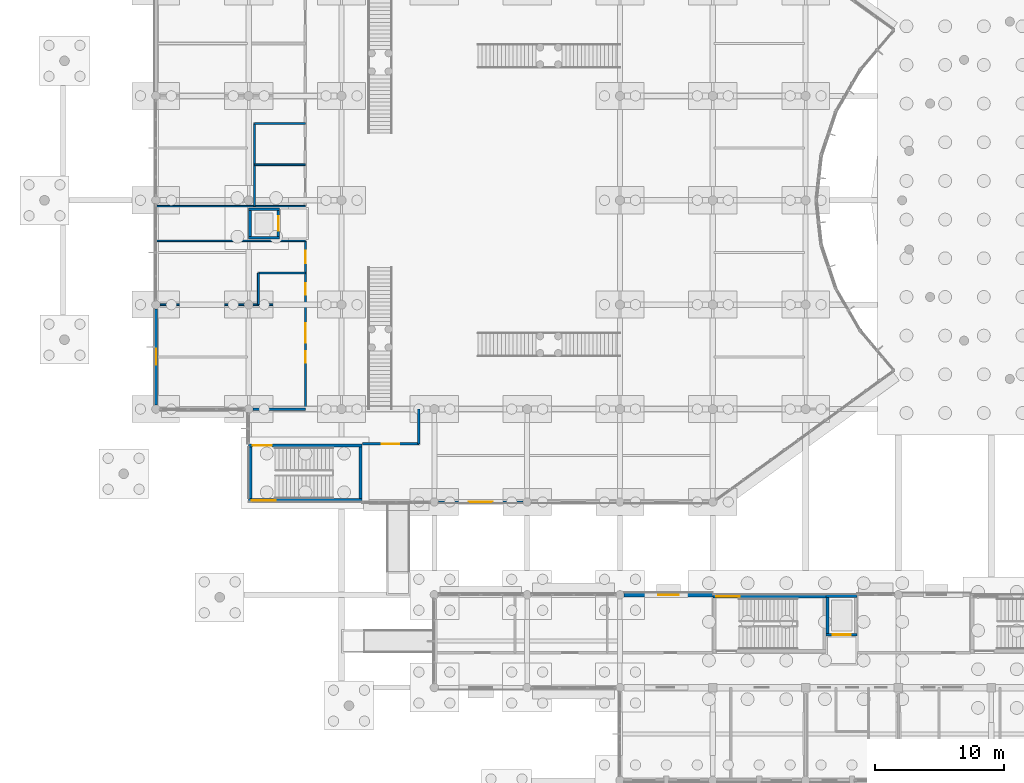
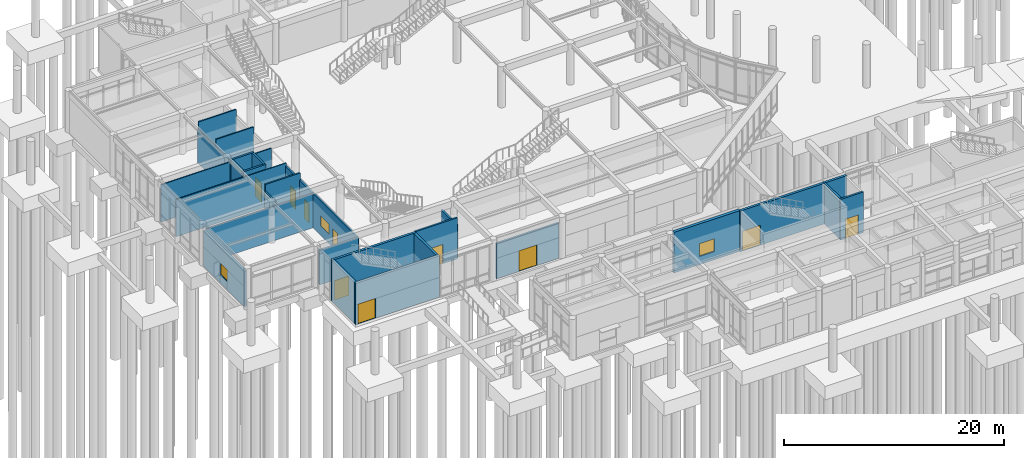
# One storey, part 53 of 103: 27 walls, 10 doors, 3 windows, 13 openings.
"""IFC4 building model written with IfcOpenShell, lengths in metres."""

from ifc_helpers import new_model, si_unit, direction, frame, frame_2d, origin, place, context, subcontext, project, spatial, rectangle, extrude, material, layer, layer_set, type_object, element, fill, save


model = new_model("IFC4")

# Units and contexts
model_context = context("Model", 3, precision=1e-05, world=origin(), true_north=direction((0.0, 1.0)))
body_context = subcontext(model_context, "Body", "Model", "MODEL_VIEW")
ifc_project = project(units=[si_unit("LENGTHUNIT", "METRE"), si_unit("AREAUNIT", "SQUARE_METRE"), si_unit("VOLUMEUNIT", "CUBIC_METRE"), si_unit("PLANEANGLEUNIT", "RADIAN"), si_unit("MASSUNIT", "GRAM", prefix="KILO")], contexts=[model_context])

# Site, building, storey
site_placement = place(None, origin())
site = spatial("IfcSite", under=ifc_project, at=site_placement, CompositionType="ELEMENT")
building_placement = place(site_placement, origin())
building = spatial("IfcBuilding", under=site, at=building_placement, Name="Namkhue Oval Health Centre", CompositionType="ELEMENT")
storey_placement = place(building_placement, origin())
storey = spatial("IfcBuildingStorey", under=building, at=storey_placement, Name="L00", CompositionType="ELEMENT", Elevation=0.0)

# Wall, opening, door
ifc_material_1 = material(Name="Autoclaved aerated concrete blockwork M7.5", Category="masonry")
ifc_layer_1 = layer(ifc_material_1, 0.179931640625)
ifc_layer_set_1 = layer_set([ifc_layer_1], Name="Autoclaved aerated concrete blockwork M7.5")
wall_type_1 = type_object("IfcWallType", Name="EXTERIOR ENVELOPE WALL 180", PredefinedType="STANDARD", material=ifc_layer_set_1)
wall_1_placement = place(storey_placement, frame((36.320068359375, 36.0, 0.0), z_axis=(0.0, 0.0, 1.0), x_axis=(1.0, 0.0, 0.0)))
wall_1 = element("IfcWall", 1, at=wall_1_placement, inside=storey, type_object=wall_type_1, Name="Volume V1 L00 Exterior Envelope Wall 1", PredefinedType="STANDARD", context=body_context, shape_type="SweptSolid", body=[
    extrude(rectangle(XDim=6.559814453125, YDim=0.179931640625, at=frame_2d((3.27978515625, 0.0))), origin(), (0.0, 0.0, 1.0), 3.9150390625),
])
opening_1_placement = place(wall_1_placement, frame((2.330078125, 0.0, 0.0)))
opening_1 = element("IfcOpeningElement", 2, at=opening_1_placement, cuts=wall_1, Name="Opening ED-01", PredefinedType="OPENING", context=body_context, shape_type="SweptSolid", body=[
    extrude(rectangle(XDim=1.89990234375, YDim=2.280029296875, at=frame_2d((0.949951171875, 1.14013671875))), frame((0.0, 0.099853515625, 0.0), z_axis=(0.0, -1.0, 0.0), x_axis=(1.0, 0.0, 0.0)), (0.0, 0.0, 1.0), 0.199951171875),
])
ifc_material_2 = material(Name="Anodised aluminium glazed entrance door", Category="aluminium")
door_type_1 = type_object("IfcDoorType", Name="ENTRANCE DOOR 1900X2280", OperationType="DOUBLE_DOOR_SINGLE_SWING", PredefinedType="DOOR", material=ifc_material_2)
door_1_placement = place(opening_1_placement, frame((1.89990234375, 0.0, 0.0), z_axis=(0.0, 0.0, 1.0), x_axis=(-1.0, 0.0, 0.0)))
door_1 = element("IfcDoor", 3, at=door_1_placement, inside=storey, type_object=door_type_1, Name="Volume V1 Main Pedestrian Entrance Exit Door 1", OperationType="DOUBLE_DOOR_SINGLE_SWING", OverallHeight=2.280029296875, OverallWidth=1.89990234375, PredefinedType="DOOR", context=body_context, shape_type="SweptSolid", body=[
    extrude(rectangle(XDim=1.89990234375, YDim=2.280029296875, at=frame_2d((0.949951171875, 1.14013671875))), frame((0.0, 0.02490234375, 0.0), z_axis=(0.0, -1.0, 0.0), x_axis=(1.0, 0.0, 0.0)), (0.0, 0.0, 1.0), 0.050048828125),
])
fill(opening_1, door_1)

# Wall, opening, window
ifc_layer_2 = layer(ifc_material_1, 0.239990234375)
ifc_layer_set_2 = layer_set([ifc_layer_2], Name="Autoclaved aerated concrete blockwork M7.5")
wall_type_2 = type_object("IfcWallType", Name="EXTERIOR ENVELOPE WALL 240", PredefinedType="STANDARD", material=ifc_layer_set_2)
wall_2_placement = place(storey_placement, frame((14.39990234375, 50.97998046875, 0.0), z_axis=(0.0, 0.0, 1.0), x_axis=(0.0, -1.0, 0.0)))
wall_2 = element("IfcWall", 4, at=wall_2_placement, inside=storey, type_object=wall_type_2, Name="Volume V1 L00 Exterior Envelope Wall 7", PredefinedType="STANDARD", context=body_context, shape_type="SweptSolid", body=[
    extrude(rectangle(XDim=7.4599609375, YDim=0.239990234375, at=frame_2d((3.72998046875, 0.0))), origin(), (0.0, 0.0, 1.0), 3.93994140625),
])
opening_2_placement = place(wall_2_placement, frame((3.10498046875, 0.0, 0.89990234375)))
opening_2 = element("IfcOpeningElement", 5, at=opening_2_placement, cuts=wall_2, Name="Opening WN-04", PredefinedType="OPENING", context=body_context, shape_type="SweptSolid", body=[
    extrude(rectangle(XDim=1.25, YDim=1.300048828125, at=frame_2d((0.625, 0.64990234375))), frame((0.0, 0.1298828125, 0.0), z_axis=(0.0, -1.0, 0.0), x_axis=(1.0, 0.0, 0.0)), (0.0, 0.0, 1.0), 0.260009765625),
])
ifc_material_3 = material(Name="Thermally broken low-E laminated double glazing", Category="glass")
window_type_1 = type_object("IfcWindowType", Name="EXTERIOR WINDOW 1250X1300", PartitioningType="SINGLE_PANEL", PredefinedType="WINDOW", material=ifc_material_3)
window_1_placement = place(opening_2_placement, origin())
window_1 = element("IfcWindow", 6, at=window_1_placement, inside=storey, type_object=window_type_1, Name="Volume V1 L00 Exterior Window 4", OverallHeight=1.300048828125, OverallWidth=1.25, PartitioningType="SINGLE_PANEL", PredefinedType="WINDOW", context=body_context, shape_type="SweptSolid", body=[
    extrude(rectangle(XDim=1.25, YDim=1.300048828125, at=frame_2d((0.625, 0.64990234375))), frame((0.0, 0.030029296875, 0.0), z_axis=(0.0, -1.0, 0.0), x_axis=(1.0, 0.0, 0.0)), (0.0, 0.0, 1.0), 0.06005859375),
])
fill(opening_2, window_1)

ifc_layer_3 = layer(ifc_material_1, 0.31005859375)
ifc_layer_set_3 = layer_set([ifc_layer_3], Name="Autoclaved aerated concrete blockwork M7.5")
wall_type_3 = type_object("IfcWallType", Name="EXTERIOR ENVELOPE WALL 310", PredefinedType="STANDARD", material=ifc_layer_set_3)
wall_3_placement = place(storey_placement, frame((57.597900390625, 28.800048828125, 0.0), z_axis=(0.0, 0.0, 1.0), x_axis=(-1.0, 0.0, 0.0)))
wall_3 = element("IfcWall", 7, at=wall_3_placement, inside=storey, type_object=wall_type_3, Name="Volume V4 L00 Exterior Envelope Wall 94", PredefinedType="STANDARD", context=body_context, shape_type="SweptSolid", body=[
    extrude(rectangle(XDim=6.8779296875, YDim=0.31005859375, at=frame_2d((3.43896484375, 0.0))), origin(), (0.0, 0.0, 1.0), 4.510009765625),
])
opening_3_placement = place(wall_3_placement, frame((2.638916015625, 0.0, 0.89990234375)))
opening_3 = element("IfcOpeningElement", 8, at=opening_3_placement, cuts=wall_3, Name="Opening WN-16", PredefinedType="OPENING", context=body_context, shape_type="SweptSolid", body=[
    extrude(rectangle(XDim=1.60009765625, YDim=1.419921875, at=frame_2d((0.800048828125, 0.7099609375))), frame((0.0, 0.1650390625, 0.0), z_axis=(0.0, -1.0, 0.0), x_axis=(1.0, 0.0, 0.0)), (0.0, 0.0, 1.0), 0.330078125),
])
window_type_2 = type_object("IfcWindowType", Name="EXTERIOR WINDOW 1600X1420", PartitioningType="SINGLE_PANEL", PredefinedType="WINDOW", material=ifc_material_3)
window_2_placement = place(opening_3_placement, origin())
window_2 = element("IfcWindow", 9, at=window_2_placement, inside=storey, type_object=window_type_2, Name="Volume V4 L00 Exterior Window 61", OverallHeight=1.419921875, OverallWidth=1.60009765625, PartitioningType="SINGLE_PANEL", PredefinedType="WINDOW", context=body_context, shape_type="SweptSolid", body=[
    extrude(rectangle(XDim=1.60009765625, YDim=1.419921875, at=frame_2d((0.800048828125, 0.7099609375))), frame((0.0, 0.030029296875, 0.0), z_axis=(0.0, -1.0, 0.0), x_axis=(1.0, 0.0, 0.0)), (0.0, 0.0, 1.0), 0.06005859375),
])
fill(opening_3, window_2)

# Wall, openings, doors, window
ifc_material_4 = material(Name="Gypsum plasterboard acoustic partition", Category="gypsum")
ifc_layer_4 = layer(ifc_material_4, 0.169921875)
ifc_layer_set_4 = layer_set([ifc_layer_4], Name="Gypsum plasterboard acoustic partition")
wall_type_4 = type_object("IfcWallType", Name="FIRE PARTITION WALL 170", PredefinedType="PARTITIONING", material=ifc_layer_set_4)
wall_4_placement = place(storey_placement, frame((26.0, 43.199951171875, 0.0), z_axis=(0.0, 0.0, 1.0), x_axis=(0.0, 1.0, 0.0)))
wall_4 = element("IfcWall", 10, at=wall_4_placement, inside=storey, type_object=wall_type_4, Name="Volume V1 L00 Clinical Partition Wall 1", PredefinedType="PARTITIONING", context=body_context, shape_type="SweptSolid", body=[
    extrude(rectangle(XDim=13.050048828125, YDim=0.169921875, at=frame_2d((6.52490234375, 0.0))), origin(), (0.0, 0.0, 1.0), 3.81494140625),
])
opening_4_placement = place(wall_4_placement, frame((3.60009765625, 0.0, 0.0)))
opening_4 = element("IfcOpeningElement", 11, at=opening_4_placement, cuts=wall_4, Name="Opening CD-01", PredefinedType="OPENING", context=body_context, shape_type="SweptSolid", body=[
    extrude(rectangle(XDim=0.89990234375, YDim=2.080078125, at=frame_2d((0.449951171875, 1.0400390625))), frame((0.0, 0.094970703125, 0.0), z_axis=(0.0, -1.0, 0.0), x_axis=(1.0, 0.0, 0.0)), (0.0, 0.0, 1.0), 0.18994140625),
])
opening_5_placement = place(wall_4_placement, frame((5.14990234375, 0.0, 1.050048828125)))
opening_5 = element("IfcOpeningElement", 12, at=opening_5_placement, cuts=wall_4, Name="Opening IWN-02", PredefinedType="OPENING", context=body_context, shape_type="SweptSolid", body=[
    extrude(rectangle(XDim=1.5, YDim=1.10009765625, at=frame_2d((0.75, 0.550048828125))), frame((0.0, 0.094970703125, 0.0), z_axis=(0.0, -1.0, 0.0), x_axis=(1.0, 0.0, 0.0)), (0.0, 0.0, 1.0), 0.18994140625),
])
opening_6_placement = place(wall_4_placement, frame((8.8701171875, 0.0, 0.0)))
opening_6 = element("IfcOpeningElement", 13, at=opening_6_placement, cuts=wall_4, Name="Opening CD-07", PredefinedType="OPENING", context=body_context, shape_type="SweptSolid", body=[
    extrude(rectangle(XDim=0.89990234375, YDim=2.1298828125, at=frame_2d((0.449951171875, 1.06494140625))), frame((0.0, 0.094970703125, 0.0), z_axis=(0.0, -1.0, 0.0), x_axis=(1.0, 0.0, 0.0)), (0.0, 0.0, 1.0), 0.18994140625),
])
opening_7_placement = place(wall_4_placement, frame((11.31005859375, 0.0, 0.0)))
opening_7 = element("IfcOpeningElement", 14, at=opening_7_placement, cuts=wall_4, Name="Opening CD-03", PredefinedType="OPENING", context=body_context, shape_type="SweptSolid", body=[
    extrude(rectangle(XDim=0.97998046875, YDim=2.080078125, at=frame_2d((0.489990234375, 1.0400390625))), frame((0.0, 0.094970703125, 0.0), z_axis=(0.0, -1.0, 0.0), x_axis=(1.0, 0.0, 0.0)), (0.0, 0.0, 1.0), 0.18994140625),
])
ifc_material_5 = material(Name="High-pressure laminate timber clinical door", Category="wood")
door_type_2 = type_object("IfcDoorType", Name="CLINICAL DOOR 900X2080", OperationType="NOTDEFINED", PredefinedType="DOOR", material=ifc_material_5)
door_2_placement = place(opening_4_placement, origin())
door_2 = element("IfcDoor", 15, at=door_2_placement, inside=storey, type_object=door_type_2, Name="Volume V1 L00 Triage Registration Clinic Door 1", OperationType="SINGLE_SWING_LEFT", OverallHeight=2.080078125, OverallWidth=0.89990234375, PredefinedType="DOOR", context=body_context, shape_type="SweptSolid", body=[
    extrude(rectangle(XDim=0.89990234375, YDim=2.080078125, at=frame_2d((0.449951171875, 1.0400390625))), frame((0.0, 0.02490234375, 0.0), z_axis=(0.0, -1.0, 0.0), x_axis=(1.0, 0.0, 0.0)), (0.0, 0.0, 1.0), 0.050048828125),
])
fill(opening_4, door_2)
door_type_3 = type_object("IfcDoorType", Name="CLINICAL DOOR 900X2130", OperationType="NOTDEFINED", PredefinedType="DOOR", material=ifc_material_5)
door_3_placement = place(opening_6_placement, origin())
door_3 = element("IfcDoor", 16, at=door_3_placement, inside=storey, type_object=door_type_3, Name="Volume V1 L00 Accessible WC Door 2", OperationType="SINGLE_SWING_RIGHT", OverallHeight=2.1298828125, OverallWidth=0.89990234375, PredefinedType="DOOR", context=body_context, shape_type="SweptSolid", body=[
    extrude(rectangle(XDim=0.89990234375, YDim=2.1298828125, at=frame_2d((0.449951171875, 1.06494140625))), frame((0.0, 0.02490234375, 0.0), z_axis=(0.0, -1.0, 0.0), x_axis=(1.0, 0.0, 0.0)), (0.0, 0.0, 1.0), 0.050048828125),
])
fill(opening_6, door_3)
door_type_4 = type_object("IfcDoorType", Name="CLINICAL DOOR 980X2080", OperationType="NOTDEFINED", PredefinedType="DOOR", material=ifc_material_5)
door_4_placement = place(opening_7_placement, origin())
door_4 = element("IfcDoor", 17, at=door_4_placement, inside=storey, type_object=door_type_4, Name="Volume V1 L00 Baby Care and Lactation Room Door 3", OperationType="SINGLE_SWING_LEFT", OverallHeight=2.080078125, OverallWidth=0.97998046875, PredefinedType="DOOR", context=body_context, shape_type="SweptSolid", body=[
    extrude(rectangle(XDim=0.97998046875, YDim=2.080078125, at=frame_2d((0.489990234375, 1.0400390625))), frame((0.0, 0.02490234375, 0.0), z_axis=(0.0, -1.0, 0.0), x_axis=(1.0, 0.0, 0.0)), (0.0, 0.0, 1.0), 0.050048828125),
])
fill(opening_7, door_4)
ifc_material_6 = material(Name="Lead-equivalent radiation-shielded observation glass", Category="glass")
window_type_3 = type_object("IfcWindowType", Name="COURTYARD WINDOW OBSERVATION 1500X1100", PartitioningType="SINGLE_PANEL", PredefinedType="WINDOW", material=ifc_material_6)
window_3_placement = place(opening_5_placement, origin())
window_3 = element("IfcWindow", 18, at=window_3_placement, inside=storey, type_object=window_type_3, Name="Volume V1 L00 Clinical Observation Window 1", OverallHeight=1.10009765625, OverallWidth=1.5, PartitioningType="SINGLE_PANEL", PredefinedType="WINDOW", context=body_context, shape_type="SweptSolid", body=[
    extrude(rectangle(XDim=1.5, YDim=1.10009765625, at=frame_2d((0.75, 0.550048828125))), frame((0.0, 0.030029296875, 0.0), z_axis=(0.0, -1.0, 0.0), x_axis=(1.0, 0.0, 0.0)), (0.0, 0.0, 1.0), 0.06005859375),
])
fill(opening_5, window_3)

# Wall, opening, door
ifc_layer_5 = layer(ifc_material_4, 0.18505859375)
ifc_layer_set_5 = layer_set([ifc_layer_5], Name="Gypsum plasterboard acoustic partition")
wall_type_5 = type_object("IfcWallType", Name="FIRE PARTITION WALL 185", PredefinedType="PARTITIONING", material=ifc_layer_set_5)
wall_5_placement = place(storey_placement, frame((30.419921875, 40.5, 0.0), z_axis=(0.0, 0.0, 1.0), x_axis=(1.0, 0.0, 0.0)))
wall_5 = element("IfcWall", 19, at=wall_5_placement, inside=storey, type_object=wall_type_5, Name="Volume V1 L00 Clinical Partition Wall 16", PredefinedType="PARTITIONING", context=body_context, shape_type="SweptSolid", body=[
    extrude(rectangle(XDim=4.380126953125, YDim=0.18505859375, at=frame_2d((2.18994140625, 0.0))), origin(), (0.0, 0.0, 1.0), 4.56494140625),
])
opening_8_placement = place(wall_5_placement, frame((1.510009765625, 0.0, 0.0)))
opening_8 = element("IfcOpeningElement", 20, at=opening_8_placement, cuts=wall_5, Name="Opening CDD-01", PredefinedType="OPENING", context=body_context, shape_type="SweptSolid", body=[
    extrude(rectangle(XDim=1.340087890625, YDim=2.139892578125, at=frame_2d((0.669921875, 1.06982421875))), frame((0.0, 0.1025390625, 0.0), z_axis=(0.0, -1.0, 0.0), x_axis=(1.0, 0.0, 0.0)), (0.0, 0.0, 1.0), 0.205078125),
])
ifc_material_7 = material(Name="Powder-coated steel fire door assembly", Category="steel")
door_type_5 = type_object("IfcDoorType", Name="CLINICAL DOOR DOUBLE 1340X2140", OperationType="DOUBLE_DOOR_SINGLE_SWING", PredefinedType="DOOR", material=ifc_material_7)
door_5_placement = place(opening_8_placement, origin())
door_5 = element("IfcDoor", 21, at=door_5_placement, inside=storey, type_object=door_type_5, Name="Volume V1 L00 Outpatient Pharmacy Entrance Door 9", OperationType="DOUBLE_DOOR_SINGLE_SWING", OverallHeight=2.139892578125, OverallWidth=1.340087890625, PredefinedType="DOOR", context=body_context, shape_type="SweptSolid", body=[
    extrude(rectangle(XDim=1.340087890625, YDim=2.139892578125, at=frame_2d((0.669921875, 1.06982421875))), frame((0.0, 0.02490234375, 0.0), z_axis=(0.0, -1.0, 0.0), x_axis=(1.0, 0.0, 0.0)), (0.0, 0.0, 1.0), 0.050048828125),
])
fill(opening_8, door_5)

# Walls
ifc_layer_6 = layer(ifc_material_4, 0.195068359375)
ifc_layer_set_6 = layer_set([ifc_layer_6], Name="Gypsum plasterboard acoustic partition")
wall_type_6 = type_object("IfcWallType", Name="FIRE PARTITION WALL 195", PredefinedType="PARTITIONING", material=ifc_layer_set_6)
wall_6_placement = place(storey_placement, frame((21.925048828125, 43.199951171875, 0.0), z_axis=(0.0, 0.0, 1.0), x_axis=(1.0, 0.0, 0.0)))
element("IfcWall", 22, at=wall_6_placement, inside=storey, type_object=wall_type_6, Name="Volume V1 L00 Clinical Partition Wall 3", PredefinedType="PARTITIONING", context=body_context, shape_type="SweptSolid", body=[
    extrude(rectangle(XDim=4.074951171875, YDim=0.195068359375, at=frame_2d((2.03759765625, 0.0))), origin(), (0.0, 0.0, 1.0), 3.81494140625),
])
wall_7_placement = place(storey_placement, frame((34.800048828125, 40.5, 0.0), z_axis=(0.0, 0.0, 1.0), x_axis=(0.0, 1.0, 0.0)))
element("IfcWall", 23, at=wall_7_placement, inside=storey, type_object=wall_type_6, Name="Volume V1 L00 Clinical Partition Wall 17", PredefinedType="PARTITIONING", context=body_context, shape_type="SweptSolid", body=[
    extrude(rectangle(XDim=2.699951171875, YDim=0.195068359375, at=frame_2d((1.35009765625, 0.0))), origin(), (0.0, 0.0, 1.0), 3.81494140625),
])
ifc_layer_7 = layer(ifc_material_4, 0.10009765625)
ifc_layer_set_7 = layer_set([ifc_layer_7], Name="Gypsum plasterboard acoustic partition")
wall_type_7 = type_object("IfcWallType", Name="INTERIOR PARTITION WALL 100", PredefinedType="PARTITIONING", material=ifc_layer_set_7)
wall_8_placement = place(storey_placement, frame((14.43994140625, 56.25, 0.0), z_axis=(0.0, 0.0, 1.0), x_axis=(1.0, 0.0, 0.0)))
element("IfcWall", 24, at=wall_8_placement, inside=storey, type_object=wall_type_7, Name="Volume V1 L00 Clinical Partition Wall 8", PredefinedType="PARTITIONING", context=body_context, shape_type="SweptSolid", body=[
    extrude(rectangle(XDim=11.56005859375, YDim=0.10009765625, at=frame_2d((5.780029296875, 0.0))), origin(), (0.0, 0.0, 1.0), 4.139892578125),
])
ifc_layer_8 = layer(ifc_material_4, 0.110107421875)
ifc_layer_set_8 = layer_set([ifc_layer_8], Name="Gypsum plasterboard acoustic partition")
wall_type_8 = type_object("IfcWallType", Name="INTERIOR PARTITION WALL 110", PredefinedType="PARTITIONING", material=ifc_layer_set_8)
wall_9_placement = place(storey_placement, frame((14.43994140625, 58.949951171875, 0.0), z_axis=(0.0, 0.0, 1.0), x_axis=(1.0, 0.0, 0.0)))
element("IfcWall", 25, at=wall_9_placement, inside=storey, type_object=wall_type_8, Name="Volume V1 L00 Clinical Partition Wall 9", PredefinedType="PARTITIONING", context=body_context, shape_type="SweptSolid", body=[
    extrude(rectangle(XDim=11.56005859375, YDim=0.110107421875, at=frame_2d((5.780029296875, 0.0))), origin(), (0.0, 0.0, 1.0), 4.139892578125),
])
ifc_layer_9 = layer(ifc_material_4, 0.1201171875)
ifc_layer_set_9 = layer_set([ifc_layer_9], Name="Gypsum plasterboard acoustic partition")
wall_type_9 = type_object("IfcWallType", Name="INTERIOR PARTITION WALL 120", PredefinedType="PARTITIONING", material=ifc_layer_set_9)
wall_10_placement = place(storey_placement, frame((22.050048828125, 58.949951171875, 0.0), z_axis=(0.0, 0.0, 1.0), x_axis=(0.0, 1.0, 0.0)))
element("IfcWall", 26, at=wall_10_placement, inside=storey, type_object=wall_type_9, Name="Volume V1 L00 Clinical Partition Wall 10", PredefinedType="PARTITIONING", context=body_context, shape_type="SweptSolid", body=[
    extrude(rectangle(XDim=6.400146484375, YDim=0.1201171875, at=frame_2d((3.2001953125, 0.0))), origin(), (0.0, 0.0, 1.0), 3.81494140625),
])
ifc_layer_10 = layer(ifc_material_4, 0.1298828125)
ifc_layer_set_10 = layer_set([ifc_layer_10], Name="Gypsum plasterboard acoustic partition")
wall_type_10 = type_object("IfcWallType", Name="INTERIOR PARTITION WALL 130", PredefinedType="PARTITIONING", material=ifc_layer_set_10)
wall_11_placement = place(storey_placement, frame((22.050048828125, 62.14990234375, 0.0), z_axis=(0.0, 0.0, 1.0), x_axis=(1.0, 0.0, 0.0)))
element("IfcWall", 27, at=wall_11_placement, inside=storey, type_object=wall_type_10, Name="Volume V1 L00 Clinical Partition Wall 11", PredefinedType="PARTITIONING", context=body_context, shape_type="SweptSolid", body=[
    extrude(rectangle(XDim=3.949951171875, YDim=0.1298828125, at=frame_2d((1.97509765625, 0.0))), origin(), (0.0, 0.0, 1.0), 4.56494140625),
])
ifc_layer_11 = layer(ifc_material_4, 0.139892578125)
ifc_layer_set_11 = layer_set([ifc_layer_11], Name="Gypsum plasterboard acoustic partition")
wall_type_11 = type_object("IfcWallType", Name="INTERIOR PARTITION WALL 140", PredefinedType="PARTITIONING", material=ifc_layer_set_11)
wall_12_placement = place(storey_placement, frame((14.72509765625, 51.300048828125, 0.0), z_axis=(0.0, 0.0, 1.0), x_axis=(1.0, 0.0, 0.0)))
element("IfcWall", 28, at=wall_12_placement, inside=storey, type_object=wall_type_11, Name="Volume V1 L00 Clinical Partition Wall 5", PredefinedType="PARTITIONING", context=body_context, shape_type="SweptSolid", body=[
    extrude(rectangle(XDim=11.27490234375, YDim=0.139892578125, at=frame_2d((5.637451171875, 0.0))), origin(), (0.0, 0.0, 1.0), 3.81494140625),
])
wall_13_placement = place(storey_placement, frame((22.050048828125, 65.35009765625, 0.0), z_axis=(0.0, 0.0, 1.0), x_axis=(1.0, 0.0, 0.0)))
element("IfcWall", 29, at=wall_13_placement, inside=storey, type_object=wall_type_11, Name="Volume V1 L00 Clinical Partition Wall 12", PredefinedType="PARTITIONING", context=body_context, shape_type="SweptSolid", body=[
    extrude(rectangle(XDim=3.949951171875, YDim=0.139892578125, at=frame_2d((1.97509765625, 0.0))), origin(), (0.0, 0.0, 1.0), 4.56494140625),
])
ifc_layer_12 = layer(ifc_material_4, 0.14990234375)
ifc_layer_set_12 = layer_set([ifc_layer_12], Name="Gypsum plasterboard acoustic partition")
wall_type_12 = type_object("IfcWallType", Name="INTERIOR PARTITION WALL 150", PredefinedType="PARTITIONING", material=ifc_layer_set_12)
wall_14_placement = place(storey_placement, frame((22.35009765625, 51.300048828125, 0.0), z_axis=(0.0, 0.0, 1.0), x_axis=(0.0, 1.0, 0.0)))
element("IfcWall", 30, at=wall_14_placement, inside=storey, type_object=wall_type_12, Name="Volume V1 L00 Clinical Partition Wall 6", PredefinedType="PARTITIONING", context=body_context, shape_type="SweptSolid", body=[
    extrude(rectangle(XDim=2.449951171875, YDim=0.14990234375, at=frame_2d((1.22509765625, 0.0))), origin(), (0.0, 0.0, 1.0), 3.81494140625),
])
ifc_layer_13 = layer(ifc_material_4, 0.159912109375)
ifc_layer_set_13 = layer_set([ifc_layer_13], Name="Gypsum plasterboard acoustic partition")
wall_type_13 = type_object("IfcWallType", Name="INTERIOR PARTITION WALL 160", PredefinedType="PARTITIONING", material=ifc_layer_set_13)
wall_15_placement = place(storey_placement, frame((22.35009765625, 53.75, 0.0), z_axis=(0.0, 0.0, 1.0), x_axis=(1.0, 0.0, 0.0)))
element("IfcWall", 31, at=wall_15_placement, inside=storey, type_object=wall_type_13, Name="Volume V1 L00 Clinical Partition Wall 7", PredefinedType="PARTITIONING", context=body_context, shape_type="SweptSolid", body=[
    extrude(rectangle(XDim=3.64990234375, YDim=0.159912109375, at=frame_2d((1.824951171875, 0.0))), origin(), (0.0, 0.0, 1.0), 4.56494140625),
])

# Wall, opening, door
ifc_material_8 = material(Name="Reinforced concrete C35/45 (TCVN B40)", Category="concrete")
ifc_layer_14 = layer(ifc_material_8, 0.25)
ifc_layer_set_14 = layer_set([ifc_layer_14], Name="Reinforced concrete C35/45 (TCVN B40)")
wall_type_14 = type_object("IfcWallType", Name="SHEAR CORE WALL EXT 250", PredefinedType="SHEAR", material=ifc_layer_set_14)
wall_16_placement = place(storey_placement, frame((21.60009765625, 36.125, 0.0), z_axis=(0.0, 0.0, 1.0), x_axis=(1.0, 0.0, 0.0)))
wall_16 = element("IfcWall", 32, at=wall_16_placement, inside=storey, type_object=wall_type_14, Name="Core SC-01 L00 Shear Wall S", PredefinedType="SHEAR", context=body_context, shape_type="SweptSolid", body=[
    extrude(rectangle(XDim=8.7998046875, YDim=0.25, at=frame_2d((4.39990234375, 0.0))), origin(), (0.0, 0.0, 1.0), 4.56494140625),
])
opening_9_placement = place(wall_16_placement, frame((0.25, 0.0, 0.0)))
opening_9 = element("IfcOpeningElement", 33, at=opening_9_placement, cuts=wall_16, Name="Opening SD-E1", PredefinedType="OPENING", context=body_context, shape_type="SweptSolid", body=[
    extrude(rectangle(XDim=1.85009765625, YDim=2.199951171875, at=frame_2d((0.925048828125, 1.10009765625))), frame((0.0, 0.135009765625, 0.0), z_axis=(0.0, -1.0, 0.0), x_axis=(1.0, 0.0, 0.0)), (0.0, 0.0, 1.0), 0.27001953125),
])
door_type_6 = type_object("IfcDoorType", Name="ENTRANCE DOOR STAIR EXIT 1850X2200", OperationType="DOUBLE_DOOR_SINGLE_SWING", PredefinedType="DOOR", material=ifc_material_7)
door_6_placement = place(opening_9_placement, frame((1.85009765625, 0.0, 0.0), z_axis=(0.0, 0.0, 1.0), x_axis=(-1.0, 0.0, 0.0)))
door_6 = element("IfcDoor", 34, at=door_6_placement, inside=storey, type_object=door_type_6, Name="Stair ST-01 Ground Final Exit Discharge Door", OperationType="DOUBLE_DOOR_SINGLE_SWING", OverallHeight=2.199951171875, OverallWidth=1.85009765625, PredefinedType="DOOR", context=body_context, shape_type="SweptSolid", body=[
    extrude(rectangle(XDim=1.85009765625, YDim=2.199951171875, at=frame_2d((0.925048828125, 1.10009765625))), frame((0.0, 0.02490234375, 0.0), z_axis=(0.0, -1.0, 0.0), x_axis=(1.0, 0.0, 0.0)), (0.0, 0.0, 1.0), 0.050048828125),
])
fill(opening_9, door_6)

# Wall
wall_17_placement = place(storey_placement, frame((21.72509765625, 40.25, 0.0), z_axis=(0.0, 0.0, 1.0), x_axis=(0.0, -1.0, 0.0)))
element("IfcWall", 35, at=wall_17_placement, inside=storey, type_object=wall_type_14, Name="Core SC-01 L00 Shear Wall W", PredefinedType="SHEAR", context=body_context, shape_type="SweptSolid", body=[
    extrude(rectangle(XDim=4.0, YDim=0.25, at=frame_2d((2.0, 0.0))), origin(), (0.0, 0.0, 1.0), 4.56494140625),
])

# Wall, opening, door
wall_18_placement = place(storey_placement, frame((66.39990234375, 28.675048828125, 0.0), z_axis=(0.0, 0.0, 1.0), x_axis=(-1.0, 0.0, 0.0)))
wall_18 = element("IfcWall", 36, at=wall_18_placement, inside=storey, type_object=wall_type_14, Name="Core SC-07 L00 Shear Wall N", PredefinedType="SHEAR", context=body_context, shape_type="SweptSolid", body=[
    extrude(rectangle(XDim=8.7998046875, YDim=0.25, at=frame_2d((4.39990234375, 0.0))), origin(), (0.0, 0.0, 1.0), 4.510009765625),
])
opening_10_placement = place(wall_18_placement, frame((6.699951171875, 0.0, 0.0)))
opening_10 = element("IfcOpeningElement", 37, at=opening_10_placement, cuts=wall_18, Name="Opening SD-E1", PredefinedType="OPENING", context=body_context, shape_type="SweptSolid", body=[
    extrude(rectangle(XDim=1.85009765625, YDim=2.199951171875, at=frame_2d((0.925048828125, 1.10009765625))), frame((0.0, 0.135009765625, 0.0), z_axis=(0.0, -1.0, 0.0), x_axis=(1.0, 0.0, 0.0)), (0.0, 0.0, 1.0), 0.27001953125),
])
door_7_placement = place(opening_10_placement, frame((1.85009765625, 0.0, 0.0), z_axis=(0.0, 0.0, 1.0), x_axis=(-1.0, 0.0, 0.0)))
door_7 = element("IfcDoor", 38, at=door_7_placement, inside=storey, type_object=door_type_6, Name="Stair ST-07 Ground Final Exit Discharge Door", OperationType="DOUBLE_DOOR_SINGLE_SWING", OverallHeight=2.199951171875, OverallWidth=1.85009765625, PredefinedType="DOOR", context=body_context, shape_type="SweptSolid", body=[
    extrude(rectangle(XDim=1.85009765625, YDim=2.199951171875, at=frame_2d((0.925048828125, 1.10009765625))), frame((0.0, 0.02490234375, 0.0), z_axis=(0.0, -1.0, 0.0), x_axis=(1.0, 0.0, 0.0)), (0.0, 0.0, 1.0), 0.050048828125),
])
fill(opening_10, door_7)

# Wall
wall_19_placement = place(storey_placement, frame((68.800048828125, 28.699951171875, 0.0), z_axis=(0.0, 0.0, 1.0), x_axis=(-1.0, 0.0, 0.0)))
element("IfcWall", 39, at=wall_19_placement, inside=storey, type_object=wall_type_14, Name="Lift LF-05 L00 Shaft Wall N", PredefinedType="SHEAR", context=body_context, shape_type="SweptSolid", body=[
    extrude(rectangle(XDim=2.400146484375, YDim=0.25, at=frame_2d((1.2001953125, 0.0))), origin(), (0.0, 0.0, 1.0), 4.510009765625),
])

# Wall, opening, door
ifc_layer_15 = layer(ifc_material_8, 0.199951171875)
ifc_layer_set_15 = layer_set([ifc_layer_15], Name="Reinforced concrete C35/45 (TCVN B40)")
wall_type_15 = type_object("IfcWallType", Name="SHEAR CORE WALL INT 200", PredefinedType="SHEAR", material=ifc_layer_set_15)
wall_20_placement = place(storey_placement, frame((66.39990234375, 25.699951171875, 0.0), z_axis=(0.0, 0.0, 1.0), x_axis=(1.0, 0.0, 0.0)))
wall_20 = element("IfcWall", 40, at=wall_20_placement, inside=storey, type_object=wall_type_15, Name="Lift LF-05 L00 Shaft Wall S", PredefinedType="SHEAR", context=body_context, shape_type="SweptSolid", body=[
    extrude(rectangle(XDim=2.400146484375, YDim=0.199951171875, at=frame_2d((1.2001953125, 0.0))), origin(), (0.0, 0.0, 1.0), 4.510009765625),
])
opening_11_placement = place(wall_20_placement, frame((0.5, 0.0, 0.0)))
opening_11 = element("IfcOpeningElement", 41, at=opening_11_placement, cuts=wall_20, Name="Opening LD-01", PredefinedType="OPENING", context=body_context, shape_type="SweptSolid", body=[
    extrude(rectangle(XDim=1.39990234375, YDim=2.14990234375, at=frame_2d((0.699951171875, 1.074951171875))), frame((0.0, 0.10986328125, 0.0), z_axis=(0.0, -1.0, 0.0), x_axis=(1.0, 0.0, 0.0)), (0.0, 0.0, 1.0), 0.219970703125),
])
door_type_7 = type_object("IfcDoorType", Name="LIFT LANDING DOOR STRETCHER 1400X2150", OperationType="DOUBLE_DOOR_SLIDING", PredefinedType="DOOR", material=ifc_material_7)
door_8_placement = place(opening_11_placement, frame((1.39990234375, 0.0, 0.0), z_axis=(0.0, 0.0, 1.0), x_axis=(-1.0, 0.0, 0.0)))
door_8 = element("IfcDoor", 42, at=door_8_placement, inside=storey, type_object=door_type_7, Name="Lift LF-05 L00 Sliding Landing Door", OperationType="DOUBLE_DOOR_SLIDING", OverallHeight=2.14990234375, OverallWidth=1.39990234375, PredefinedType="DOOR", context=body_context, shape_type="SweptSolid", body=[
    extrude(rectangle(XDim=1.39990234375, YDim=2.14990234375, at=frame_2d((0.699951171875, 1.074951171875))), frame((0.0, 0.02490234375, 0.0), z_axis=(0.0, -1.0, 0.0), x_axis=(1.0, 0.0, 0.0)), (0.0, 0.0, 1.0), 0.050048828125),
])
fill(opening_11, door_8)

# Walls
wall_21_placement = place(storey_placement, frame((66.5, 28.60009765625, 0.0), z_axis=(0.0, 0.0, 1.0), x_axis=(0.0, -1.0, 0.0)))
element("IfcWall", 43, at=wall_21_placement, inside=storey, type_object=wall_type_15, Name="Lift LF-05 L00 Shaft Wall W", PredefinedType="SHEAR", context=body_context, shape_type="SweptSolid", body=[
    extrude(rectangle(XDim=2.800048828125, YDim=0.199951171875, at=frame_2d((1.39990234375, 0.0))), origin(), (0.0, 0.0, 1.0), 4.510009765625),
])
wall_22_placement = place(storey_placement, frame((21.60009765625, 56.5, 0.0), z_axis=(0.0, 0.0, 1.0), x_axis=(1.0, 0.0, 0.0)))
element("IfcWall", 44, at=wall_22_placement, inside=storey, type_object=wall_type_15, Name="Lift LF-08 L00 Shaft Wall S", PredefinedType="SHEAR", context=body_context, shape_type="SweptSolid", body=[
    extrude(rectangle(XDim=2.39990234375, YDim=0.199951171875, at=frame_2d((1.199951171875, 0.0))), origin(), (0.0, 0.0, 1.0), 4.56494140625),
])

# Wall, opening, door
wall_23_placement = place(storey_placement, frame((23.89990234375, 56.60009765625, 0.0), z_axis=(0.0, 0.0, 1.0), x_axis=(0.0, 1.0, 0.0)))
wall_23 = element("IfcWall", 45, at=wall_23_placement, inside=storey, type_object=wall_type_15, Name="Lift LF-08 L00 Shaft Wall E", PredefinedType="SHEAR", context=body_context, shape_type="SweptSolid", body=[
    extrude(rectangle(XDim=2.0, YDim=0.199951171875, at=frame_2d((1.0, 0.0))), origin(), (0.0, 0.0, 1.0), 4.56494140625),
])
opening_12_placement = place(wall_23_placement, frame((0.425048828125, 0.0, 0.0)))
opening_12 = element("IfcOpeningElement", 46, at=opening_12_placement, cuts=wall_23, Name="Opening LD-02", PredefinedType="OPENING", context=body_context, shape_type="SweptSolid", body=[
    extrude(rectangle(XDim=1.14990234375, YDim=2.14990234375, at=frame_2d((0.574951171875, 1.074951171875))), frame((0.0, 0.10986328125, 0.0), z_axis=(0.0, -1.0, 0.0), x_axis=(1.0, 0.0, 0.0)), (0.0, 0.0, 1.0), 0.219970703125),
])
door_type_8 = type_object("IfcDoorType", Name="LIFT LANDING DOOR PASSENGER 1150X2150", OperationType="DOUBLE_DOOR_SLIDING", PredefinedType="DOOR", material=ifc_material_7)
door_9_placement = place(opening_12_placement, frame((1.14990234375, 0.0, 0.0), z_axis=(0.0, 0.0, 1.0), x_axis=(-1.0, 0.0, 0.0)))
door_9 = element("IfcDoor", 47, at=door_9_placement, inside=storey, type_object=door_type_8, Name="Lift LF-08 L00 Sliding Landing Door", OperationType="DOUBLE_DOOR_SLIDING", OverallHeight=2.14990234375, OverallWidth=1.14990234375, PredefinedType="DOOR", context=body_context, shape_type="SweptSolid", body=[
    extrude(rectangle(XDim=1.14990234375, YDim=2.14990234375, at=frame_2d((0.574951171875, 1.074951171875))), frame((0.0, 0.02490234375, 0.0), z_axis=(0.0, -1.0, 0.0), x_axis=(1.0, 0.0, 0.0)), (0.0, 0.0, 1.0), 0.050048828125),
])
fill(opening_12, door_9)

# Walls
wall_24_placement = place(storey_placement, frame((24.0, 58.699951171875, 0.0), z_axis=(0.0, 0.0, 1.0), x_axis=(-1.0, 0.0, 0.0)))
element("IfcWall", 48, at=wall_24_placement, inside=storey, type_object=wall_type_15, Name="Lift LF-08 L00 Shaft Wall N", PredefinedType="SHEAR", context=body_context, shape_type="SweptSolid", body=[
    extrude(rectangle(XDim=2.39990234375, YDim=0.199951171875, at=frame_2d((1.199951171875, 0.0))), origin(), (0.0, 0.0, 1.0), 4.56494140625),
])
wall_25_placement = place(storey_placement, frame((21.699951171875, 58.60009765625, 0.0), z_axis=(0.0, 0.0, 1.0), x_axis=(0.0, -1.0, 0.0)))
element("IfcWall", 49, at=wall_25_placement, inside=storey, type_object=wall_type_15, Name="Lift LF-08 L00 Shaft Wall W", PredefinedType="SHEAR", context=body_context, shape_type="SweptSolid", body=[
    extrude(rectangle(XDim=2.0, YDim=0.199951171875, at=frame_2d((1.0, 0.0))), origin(), (0.0, 0.0, 1.0), 4.56494140625),
])
ifc_layer_16 = layer(ifc_material_8, 0.25)
ifc_layer_set_16 = layer_set([ifc_layer_16], Name="Reinforced concrete C35/45 (TCVN B40)")
wall_type_16 = type_object("IfcWallType", Name="SHEAR CORE WALL INT 250", PredefinedType="SHEAR", material=ifc_layer_set_16)
wall_26_placement = place(storey_placement, frame((30.27490234375, 36.25, 0.0), z_axis=(0.0, 0.0, 1.0), x_axis=(0.0, 1.0, 0.0)))
element("IfcWall", 50, at=wall_26_placement, inside=storey, type_object=wall_type_16, Name="Core SC-01 L00 Shear Wall E", PredefinedType="SHEAR", context=body_context, shape_type="SweptSolid", body=[
    extrude(rectangle(XDim=4.0, YDim=0.25, at=frame_2d((2.0, 0.0))), origin(), (0.0, 0.0, 1.0), 4.56494140625),
])

# Wall, opening, door
wall_27_placement = place(storey_placement, frame((30.39990234375, 40.375, 0.0), z_axis=(0.0, 0.0, 1.0), x_axis=(-1.0, 0.0, 0.0)))
wall_27 = element("IfcWall", 51, at=wall_27_placement, inside=storey, type_object=wall_type_16, Name="Core SC-01 L00 Shear Wall N", PredefinedType="SHEAR", context=body_context, shape_type="SweptSolid", body=[
    extrude(rectangle(XDim=8.7998046875, YDim=0.25, at=frame_2d((4.39990234375, 0.0))), origin(), (0.0, 0.0, 1.0), 4.56494140625),
])
opening_13_placement = place(wall_27_placement, frame((7.0, 0.0, 0.0)))
opening_13 = element("IfcOpeningElement", 52, at=opening_13_placement, cuts=wall_27, Name="Opening SD-I1", PredefinedType="OPENING", context=body_context, shape_type="SweptSolid", body=[
    extrude(rectangle(XDim=1.5, YDim=2.14990234375, at=frame_2d((0.75, 1.074951171875))), frame((0.0, 0.135009765625, 0.0), z_axis=(0.0, -1.0, 0.0), x_axis=(1.0, 0.0, 0.0)), (0.0, 0.0, 1.0), 0.27001953125),
])
door_type_9 = type_object("IfcDoorType", Name="CLINICAL DOOR STAIR CORE 1500X2150", OperationType="DOUBLE_DOOR_SINGLE_SWING", PredefinedType="DOOR", material=ifc_material_7)
door_10_placement = place(opening_13_placement, origin())
door_10 = element("IfcDoor", 53, at=door_10_placement, inside=storey, type_object=door_type_9, Name="Stair ST-01 L00 Stair Enclosure Fire Door", OperationType="DOUBLE_DOOR_SINGLE_SWING", OverallHeight=2.14990234375, OverallWidth=1.5, PredefinedType="DOOR", context=body_context, shape_type="SweptSolid", body=[
    extrude(rectangle(XDim=1.5, YDim=2.14990234375, at=frame_2d((0.75, 1.074951171875))), frame((0.0, 0.02490234375, 0.0), z_axis=(0.0, -1.0, 0.0), x_axis=(1.0, 0.0, 0.0)), (0.0, 0.0, 1.0), 0.050048828125),
])
fill(opening_13, door_10)

save(model, "model.ifc")
